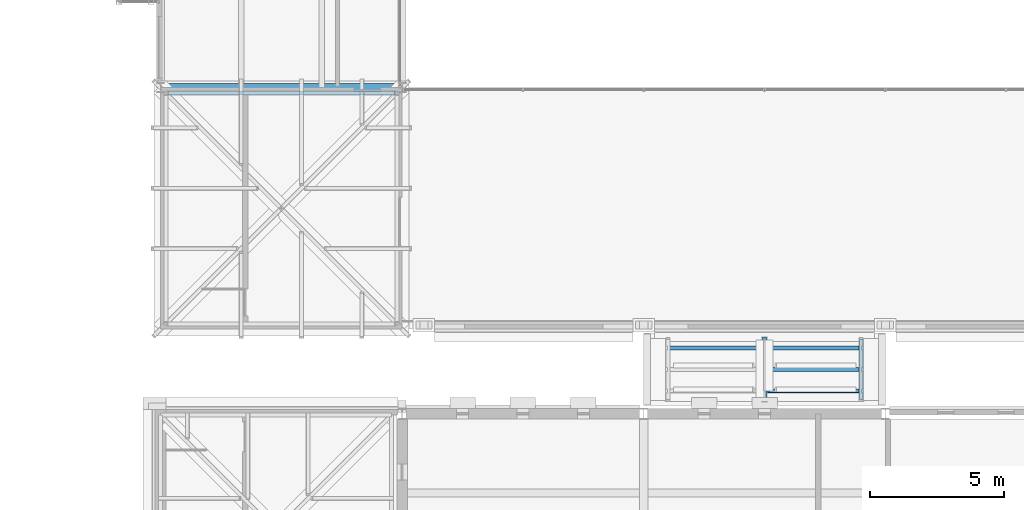
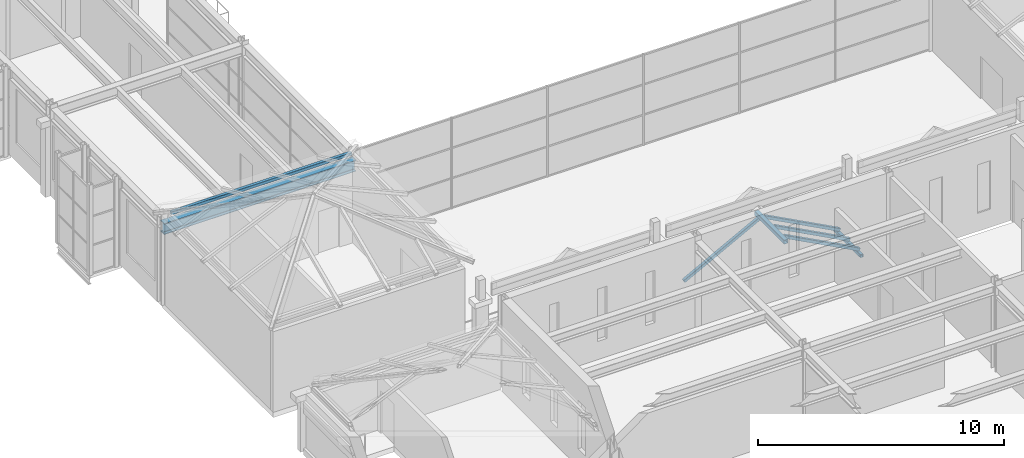
# One storey, part 18 of 149: 7 members, 1 beam.
"""IFC4 building model written with IfcOpenShell, lengths in metres."""

import ifcopenshell
import ifcopenshell.guid

model = None  # the IFC model being written
_history = None  # IfcOwnerHistory: only IFC2X3 demands one
_inside = {}  # id of a spatial element -> (the spatial element, [elements in it])
_under = {}  # id of a project, library or spatial element -> (it, [spatial elements below it])
_declared = {}  # id of a project -> (the project, [libraries it declares])
_typed = {}  # id of a type object -> (the type object, [elements of that type])
_made_of = {}  # id of a material, layer set ... -> (it, [elements and type objects made of it])


def new_model(schema):
    """Start an empty IFC model of exactly this schema.

    Asked for "IFC4X3", IfcOpenShell would pick the latest addendum, in which some entities
    have other attributes; the version numbers below select the first issue.
    IFC2X3 requires an IfcOwnerHistory on every rooted entity: one is made here for all.
    """
    global model, _history
    if schema == "IFC4X3":
        model = ifcopenshell.file(schema_version=(4, 3, 0, 0))
    else:
        model = ifcopenshell.file(schema=schema)
    _inside.clear()
    _under.clear()
    _declared.clear()
    _typed.clear()
    _made_of.clear()
    _history = None
    if model.schema == "IFC2X3":
        org = make("IfcOrganization", Name="unknown")
        user = make(
            "IfcPersonAndOrganization",
            ThePerson=make("IfcPerson", FamilyName="unknown"),
            TheOrganization=org,
        )
        app = make(
            "IfcApplication",
            ApplicationDeveloper=org,
            Version="unknown",
            ApplicationFullName="unknown",
            ApplicationIdentifier="unknown",
        )
        _history = make(
            "IfcOwnerHistory",
            OwningUser=user,
            OwningApplication=app,
            ChangeAction="ADDED",
            CreationDate=0,
        )
    return model


def make(cls, **values):
    """One entity of the class cls with the attributes given. An attribute that is None is left unset."""
    return model.create_entity(
        cls, **{name: value for name, value in values.items() if value is not None}
    )


def rooted(cls, **values):
    """An entity with a GlobalId (a new one), such as an element, a storey or a relation."""
    return make(cls, GlobalId=ifcopenshell.guid.new(), OwnerHistory=_history, **values)


def si_unit(unit_type, name, prefix=None):
    """IfcSIUnit, for example si_unit("LENGTHUNIT", "METRE", prefix="MILLI")."""
    return make("IfcSIUnit", UnitType=unit_type, Prefix=prefix, Name=name)


def assignment(units):
    """IfcUnitAssignment: the units of a project."""
    return None if units is None else make("IfcUnitAssignment", Units=units)


def point(xyz):
    """IfcCartesianPoint."""
    return None if xyz is None else make("IfcCartesianPoint", Coordinates=xyz)


def direction(xyz):
    """IfcDirection."""
    return None if xyz is None else make("IfcDirection", DirectionRatios=xyz)


def frame(location, z_axis=None, x_axis=None):
    """IfcAxis2Placement3D, a coordinate frame: its origin and axes. An axis left out is left unset."""
    return make(
        "IfcAxis2Placement3D",
        Location=point(location),
        Axis=direction(z_axis),
        RefDirection=direction(x_axis),
    )


def frame_2d(location, x_axis=None):
    """IfcAxis2Placement2D, a coordinate frame in the plane: its origin and x axis."""
    return make(
        "IfcAxis2Placement2D", Location=point(location), RefDirection=direction(x_axis)
    )


def origin():
    """The frame at (0, 0, 0) with its axes left unset."""
    return frame((0.0, 0.0, 0.0))


def origin_2d():
    """The frame at (0, 0) in the plane with its x axis left unset."""
    return frame_2d((0.0, 0.0))


def place(relative_to, where):
    """IfcLocalPlacement: puts the frame where relative to a parent placement (None: the world)."""
    return make(
        "IfcLocalPlacement", PlacementRelTo=relative_to, RelativePlacement=where
    )


def context(
    kind, dimensions, precision=None, world=None, true_north=None, identifier=None
):
    """IfcGeometricRepresentationContext, for example the 3D "Model" context."""
    return make(
        "IfcGeometricRepresentationContext",
        ContextIdentifier=identifier,
        ContextType=kind,
        CoordinateSpaceDimension=dimensions,
        Precision=precision,
        WorldCoordinateSystem=world,
        TrueNorth=true_north,
    )


def subcontext(parent, identifier, kind, view, scale=None):
    """IfcGeometricRepresentationSubContext, for example "Body" below "Model"."""
    return make(
        "IfcGeometricRepresentationSubContext",
        ContextIdentifier=identifier,
        ContextType=kind,
        ParentContext=parent,
        TargetScale=scale,
        TargetView=view,
    )


def project(units=None, contexts=None):
    """IfcProject with its units and contexts."""
    return rooted(
        "IfcProject",
        Name="project",
        RepresentationContexts=contexts,
        UnitsInContext=assignment(units),
    )


def spatial(cls, under=None, at=None, **own):
    """A site, building, storey or space (cls), placed at a placement, below another one or the project."""
    s = rooted(cls, ObjectPlacement=at, **own)
    if under is not None:
        _under.setdefault(under.id(), (under, []))[1].append(s)
    return s


def profile(cls, at=None, kind="AREA", **sizes):
    """A parametric profile (cls). Its sizes go by their IFC names, for example OverallWidth=200.0."""
    return make(cls, ProfileType=kind, Position=at, **sizes)


def hollow_rectangle(**sizes):
    """IfcRectangleHollowProfileDef."""
    return profile("IfcRectangleHollowProfileDef", **sizes)


def i_section(**sizes):
    """IfcIShapeProfileDef."""
    return profile("IfcIShapeProfileDef", **sizes)


def extrude(swept, where, along, depth):
    """IfcExtrudedAreaSolid: the profile swept, set in the frame where, extruded along a direction by depth."""
    return make(
        "IfcExtrudedAreaSolid",
        SweptArea=swept,
        Position=where,
        ExtrudedDirection=direction(along),
        Depth=depth,
    )


def shape(context_of_items, identifier, shape_type, items):
    """IfcShapeRepresentation: the items that make up one representation, for example the "Body"."""
    return make(
        "IfcShapeRepresentation",
        ContextOfItems=context_of_items,
        RepresentationIdentifier=identifier,
        RepresentationType=shape_type,
        Items=items,
    )


def material(Name=None, Category=None):
    """IfcMaterial."""
    return make("IfcMaterial", Name=Name, Category=Category)


def material_profile(
    of_material, cross_section, Name=None, Category=None, Priority=None
):
    """IfcMaterialProfile: a cross section and its material."""
    return make(
        "IfcMaterialProfile",
        Name=Name,
        Material=of_material,
        Profile=cross_section,
        Priority=Priority,
        Category=Category,
    )


def profile_set(profiles, Name=None, composite=None):
    """IfcMaterialProfileSet."""
    return make(
        "IfcMaterialProfileSet",
        Name=Name,
        MaterialProfiles=profiles,
        CompositeProfile=composite,
    )


def made_of(thing, what):
    """Note that an element or type object is made of a material, layer set ...; save() writes the relation."""
    if what is not None:
        _made_of.setdefault(what.id(), (what, []))[1].append(thing)
    return thing


def type_object(cls, material=None, **own):
    """A type object (cls), such as IfcWallType, which elements share."""
    return made_of(rooted(cls, **own), material)


def element(
    cls,
    number,
    at=None,
    inside=None,
    cuts=None,
    type_object=None,
    material=None,
    context=None,
    identifier="Body",
    shape_type=None,
    held_by="IfcProductDefinitionShape",
    body=None,
    shapes=None,
    **own,
):
    """One element of the class cls, such as IfcWall. Its Tag is "e" and its number.

    at: its placement. inside: the storey or other place that contains it. cuts: it is an
    opening in that element (IfcRelVoidsElement). A single representation is given by context,
    identifier, shape_type and body (its items); several are given by shapes. held_by: the class
    of the entity that holds the representations. save() writes the other relations.
    """
    e = rooted(cls, Tag="e%d" % number, ObjectPlacement=at, **own)
    if body is not None:
        shapes = [shape(context, identifier, shape_type, body)]
    if shapes is not None:
        e.Representation = make(held_by, Representations=shapes)
    if inside is not None:
        _inside.setdefault(inside.id(), (inside, []))[1].append(e)
    if cuts is not None:
        rooted(
            "IfcRelVoidsElement", RelatingBuildingElement=cuts, RelatedOpeningElement=e
        )
    if type_object is not None:
        _typed.setdefault(type_object.id(), (type_object, []))[1].append(e)
    return made_of(e, material)


def aggregate(whole, parts):
    """IfcRelAggregates: a whole, such as a stair, and the parts it consists of."""
    return rooted("IfcRelAggregates", RelatingObject=whole, RelatedObjects=parts)


def save(model, path):
    """Write the relations noted so far, then the file.

    IfcRelAggregates (storeys below a building ...), IfcRelContainedInSpatialStructure (elements
    in a storey), IfcRelDefinesByType, IfcRelAssociatesMaterial and IfcRelDeclares: one each for
    every whole, place, type object, material and project.
    """
    for whole, parts in _under.values():
        aggregate(whole, parts)
    for where, things in _inside.values():
        rooted(
            "IfcRelContainedInSpatialStructure",
            RelatedElements=things,
            RelatingStructure=where,
        )
    for kind, things in _typed.values():
        rooted("IfcRelDefinesByType", RelatedObjects=things, RelatingType=kind)
    for what, things in _made_of.values():
        rooted("IfcRelAssociatesMaterial", RelatedObjects=things, RelatingMaterial=what)
    for by, libraries in _declared.values():
        rooted("IfcRelDeclares", RelatingContext=by, RelatedDefinitions=libraries)
    model.write(path)


model = new_model("IFC4")

# Units and contexts
model_context = context("Model", 3, precision=1e-05, world=origin(), true_north=direction((0.0, 1.0)))
body_context = subcontext(model_context, "Body", "Model", "MODEL_VIEW")
ifc_project = project(units=[si_unit("LENGTHUNIT", "METRE"), si_unit("AREAUNIT", "SQUARE_METRE"), si_unit("VOLUMEUNIT", "CUBIC_METRE"), si_unit("PLANEANGLEUNIT", "RADIAN"), si_unit("MASSUNIT", "GRAM", prefix="KILO")], contexts=[model_context])

# Site, building, storey
site_placement = place(None, origin())
site = spatial("IfcSite", under=ifc_project, at=site_placement, CompositionType="ELEMENT")
building_placement = place(site_placement, origin())
building = spatial("IfcBuilding", under=site, at=building_placement, Name="Kallimachos Central Library", CompositionType="ELEMENT")
storey_placement = place(building_placement, frame((0.0, 0.0, 9.89990234375)))
storey = spatial("IfcBuildingStorey", under=building, at=storey_placement, Name="L02", CompositionType="ELEMENT", Elevation=9.89990234375)

# Beam
ifc_material_1 = material(Name="Steel S355J2", Category="steel")
ifc_material_profile_1 = material_profile(ifc_material_1, i_section(OverallWidth=0.300048828125, OverallDepth=0.550048828125, WebThickness=0.014892578125, FlangeThickness=0.029052734375, FilletRadius=0.027099609375, at=origin_2d()), Name="HEB 550")
ifc_profile_set_1 = profile_set([ifc_material_profile_1], Name="Steel S355J2")
beam_type = type_object("IfcBeamType", Name="HEB 550 beam", PredefinedType="BEAM", material=ifc_profile_set_1)
beam_placement = place(storey_placement, frame((65.5, 57.0, 3.72509765625), z_axis=(1.0, 0.0, 0.0), x_axis=(0.0, 1.0, 0.0)))
element("IfcBeam", 1, at=beam_placement, inside=storey, type_object=beam_type, Name="V4-BEM-L02-021", PredefinedType="BEAM", context=body_context, shape_type="SweptSolid", body=[
    extrude(i_section(OverallWidth=0.300048828125, OverallDepth=0.550048828125, WebThickness=0.014892578125, FlangeThickness=0.029052734375, FilletRadius=0.027099609375, at=origin_2d()), origin(), (0.0, 0.0, 1.0), 9.0),
])

# Members
ifc_material_2 = material(Name="Steel S355J2H", Category="steel")
ifc_material_profile_2 = material_profile(ifc_material_2, hollow_rectangle(XDim=0.14990234375, YDim=0.14990234375, WallThickness=0.010009765625, InnerFilletRadius=0.010009765625, OuterFilletRadius=0.014892578125, at=origin_2d()), Name="SHS 150x150x10")
ifc_profile_set_2 = profile_set([ifc_material_profile_2], Name="Steel S355J2H")
member_type_1 = type_object("IfcMemberType", Name="SHS 150x150x10 eaves bearer", PredefinedType="STRINGER", material=ifc_profile_set_2)
member_1_placement = place(storey_placement, frame((65.77490234375, 56.800048828125, 4.47509765625), z_axis=(1.0, 0.0, 0.0), x_axis=(0.0, 1.0, 0.0)))
element("IfcMember", 2, at=member_1_placement, inside=storey, type_object=member_type_1, Name="Head-house roof V4-SW eaves bearer N", PredefinedType="STRINGER", context=body_context, shape_type="SweptSolid", body=[
    extrude(hollow_rectangle(XDim=0.14990234375, YDim=0.14990234375, WallThickness=0.010009765625, InnerFilletRadius=0.010009765625, OuterFilletRadius=0.014892578125, at=origin_2d()), origin(), (0.0, 0.0, 1.0), 8.4501953125),
])
member_2_placement = place(storey_placement, frame((91.60009765625, 45.375, 0.22509765625), z_axis=(0.0, 1.0, 0.0), x_axis=(-1.0, 0.0, 0.0)))
element("IfcMember", 3, at=member_2_placement, inside=storey, type_object=member_type_1, Name="Stacks Link roof eaves bearer E", PredefinedType="STRINGER", context=body_context, shape_type="SweptSolid", body=[
    extrude(hollow_rectangle(XDim=0.14990234375, YDim=0.14990234375, WallThickness=0.010009765625, InnerFilletRadius=0.010009765625, OuterFilletRadius=0.014892578125, at=origin_2d()), origin(), (0.0, 0.0, 1.0), 2.25),
])
ifc_material_3 = material(Name="Steel S355J2H", Category="steel")
ifc_material_profile_3 = material_profile(ifc_material_3, hollow_rectangle(XDim=0.14990234375, YDim=0.14990234375, WallThickness=0.010009765625, InnerFilletRadius=0.010009765625, OuterFilletRadius=0.014892578125, at=origin_2d()), Name="SHS 150x150x10")
ifc_profile_set_3 = profile_set([ifc_material_profile_3], Name="Steel S355J2H")
member_type_2 = type_object("IfcMemberType", Name="SHS 150x150x10 rafter", PredefinedType="RAFTER", material=ifc_profile_set_3)
for number, where, z_axis, x_axis, name in (
    (4, (84.35009765625, 47.300048828125, 0.3583984375), (0.88293197462, 0.0, 0.469500935242), (0.0, 1.0, 0.0), "Stacks Link roof rafter"),
    (5, (91.64990234375, 45.699951171875, 0.3583984375), (-0.88293197462, 0.0, 0.469500935242), (0.0, -1.0, 0.0), "Stacks Link roof rafter"),
    (6, (91.64990234375, 46.5, 0.3583984375), (-0.88293197462, 0.0, 0.469500935242), (0.0, -1.0, 0.0), "Stacks Link roof rafter"),
    (7, (91.64990234375, 47.300048828125, 0.3583984375), (-0.88293197462, 0.0, 0.469500935242), (0.0, -1.0, 0.0), "Stacks Link roof rafter"),
):
    element("IfcMember", number, at=place(storey_placement, frame(where, z_axis=z_axis, x_axis=x_axis)), inside=storey, type_object=member_type_2, Name=name, PredefinedType="RAFTER", context=body_context, shape_type="SweptSolid", body=[
        extrude(hollow_rectangle(XDim=0.14990234375, YDim=0.14990234375, WallThickness=0.010009765625, InnerFilletRadius=0.010009765625, OuterFilletRadius=0.014892578125, at=origin_2d()), origin(), (0.0, 0.0, 1.0), 3.975341796875),
    ])
ifc_material_4 = material(Name="Steel S355J2H", Category="steel")
ifc_material_profile_4 = material_profile(ifc_material_4, hollow_rectangle(XDim=0.199951171875, YDim=0.199951171875, WallThickness=0.010009765625, InnerFilletRadius=0.010009765625, OuterFilletRadius=0.014892578125, at=origin_2d()), Name="SHS 200x200x10")
ifc_profile_set_4 = profile_set([ifc_material_profile_4], Name="Steel S355J2H")
member_type_3 = type_object("IfcMemberType", Name="SHS 200x200x10 ridge beam", PredefinedType="STRINGER", material=ifc_profile_set_4)
member_3_placement = place(storey_placement, frame((88.0, 45.300048828125, 2.234130859375), z_axis=(0.0, 1.0, 0.0), x_axis=(-1.0, 0.0, 0.0)))
element("IfcMember", 8, at=member_3_placement, inside=storey, type_object=member_type_3, Name="Stacks Link roof ridge beam", PredefinedType="STRINGER", context=body_context, shape_type="SweptSolid", body=[
    extrude(hollow_rectangle(XDim=0.199951171875, YDim=0.199951171875, WallThickness=0.010009765625, InnerFilletRadius=0.010009765625, OuterFilletRadius=0.014892578125, at=origin_2d()), origin(), (0.0, 0.0, 1.0), 2.39990234375),
])

save(model, "model.ifc")
